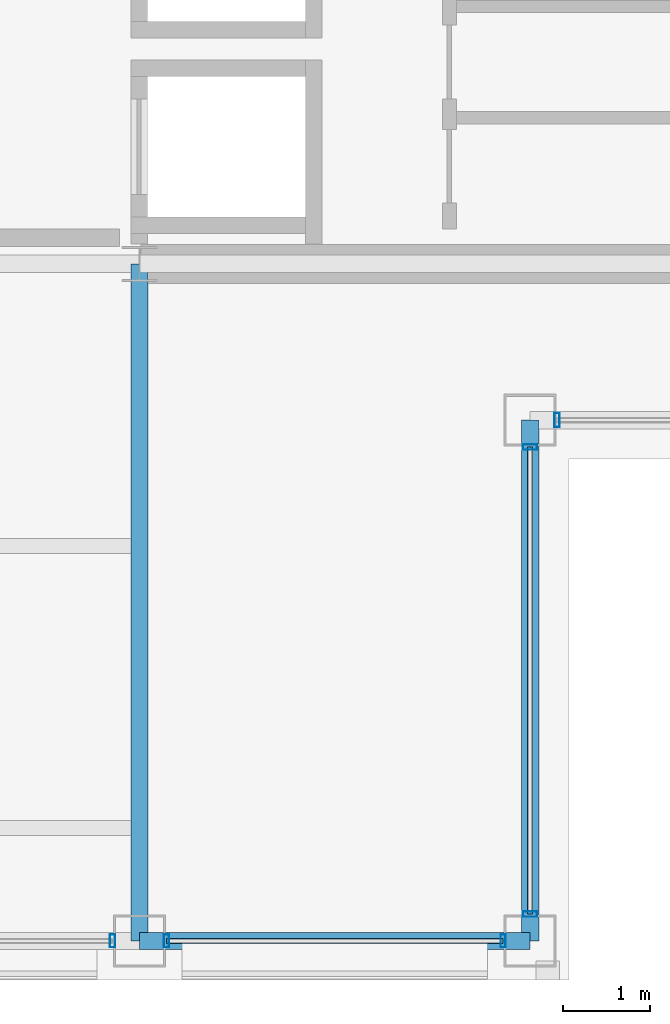
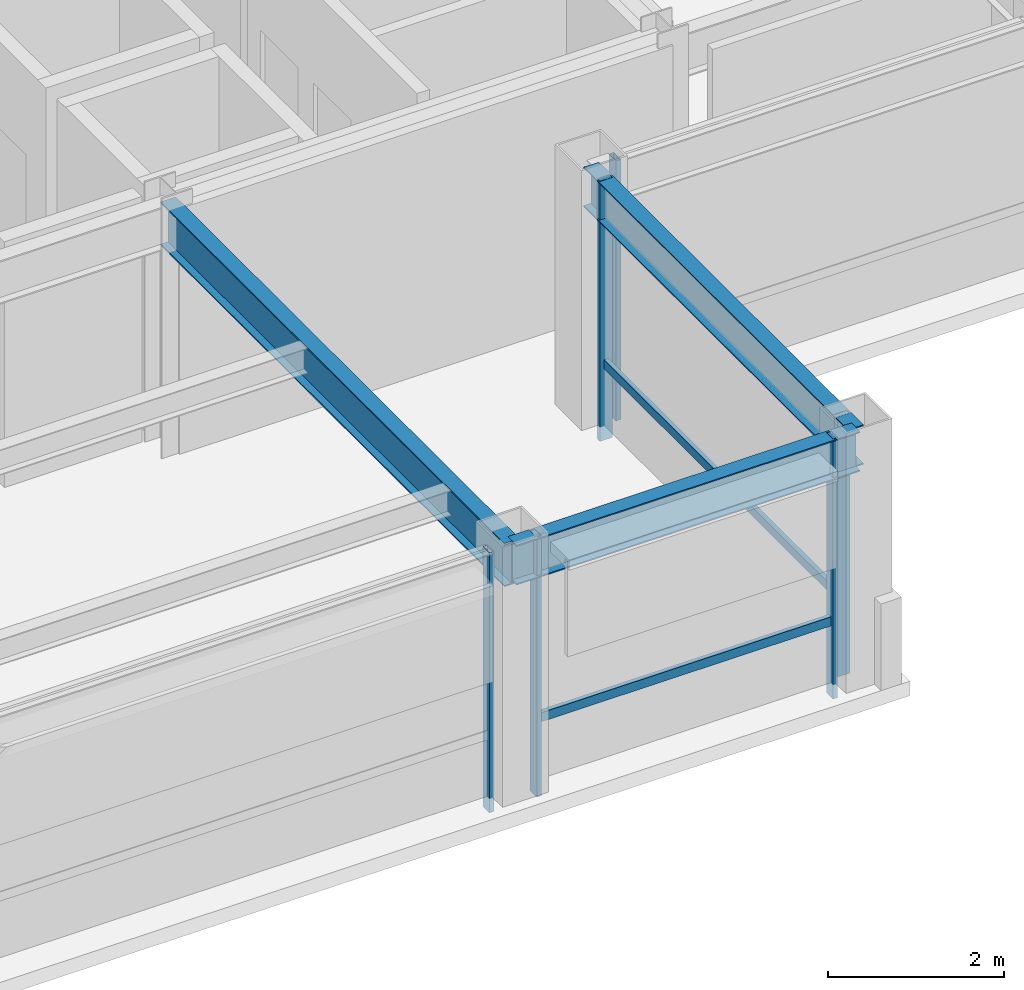
# One storey, part 4 of 22: 8 members, 3 beams, 4 elements without a shape of their own.
"""IFC4 building model written with IfcOpenShell, lengths in metres."""

from ifc_helpers import new_model, si_unit, direction, frame, origin, origin_2d, place, context, subcontext, project, spatial, hollow_rectangle, i_section, extrude, material, layer, layer_set, material_profile, profile_set, type_object, element, aggregate, save


model = new_model("IFC4")

# Units and contexts
model_context = context("Model", 3, precision=1e-05, world=origin(), true_north=direction((0.0, 1.0)))
body_context = subcontext(model_context, "Body", "Model", "MODEL_VIEW")
ifc_project = project(units=[si_unit("LENGTHUNIT", "METRE"), si_unit("AREAUNIT", "SQUARE_METRE"), si_unit("VOLUMEUNIT", "CUBIC_METRE"), si_unit("PLANEANGLEUNIT", "RADIAN"), si_unit("MASSUNIT", "GRAM", prefix="KILO")], contexts=[model_context])

# Site, building, storey
site_placement = place(None, origin())
site = spatial("IfcSite", under=ifc_project, at=site_placement, CompositionType="ELEMENT")
building_placement = place(site_placement, origin())
building = spatial("IfcBuilding", under=site, at=building_placement, Name="Brelmoor Portico Tower", CompositionType="ELEMENT")
storey_placement = place(building_placement, frame((0.0, 0.0, 280.800048828125)))
storey = spatial("IfcBuildingStorey", under=building, at=storey_placement, Name="L74", CompositionType="ELEMENT", Elevation=280.800048828125)

# Beams
ifc_material_1 = material(Name="Steel Q355B", Category="steel")
ifc_material_profile_1 = material_profile(ifc_material_1, i_section(OverallWidth=0.199951171875, OverallDepth=0.60009765625, WebThickness=0.010986328125, FlangeThickness=0.01708984375, at=origin_2d()), Name="HN 600x200x11x17")
ifc_profile_set_1 = profile_set([ifc_material_profile_1], Name="Steel Q355B")
beam_type_1 = type_object("IfcBeamType", Name="BM-PG-600", PredefinedType="BEAM", material=ifc_profile_set_1)
beam_1_placement = place(storey_placement, frame((8.050048828125, -17.550048828125, 3.099853515625), z_axis=(0.0, 1.0, 0.0), x_axis=(-1.0, 0.0, 0.0)))
element("IfcBeam", 1, at=beam_1_placement, inside=storey, type_object=beam_type_1, Name="L74 Primary Floor Girder PG-06", PredefinedType="BEAM", context=body_context, shape_type="SweptSolid", body=[
    extrude(i_section(OverallWidth=0.199951171875, OverallDepth=0.60009765625, WebThickness=0.010986328125, FlangeThickness=0.01708984375, at=origin_2d()), origin(), (0.0, 0.0, 1.0), 7.800048828125),
])
ifc_material_profile_2 = material_profile(ifc_material_1, i_section(OverallWidth=0.199951171875, OverallDepth=0.550048828125, WebThickness=0.010009765625, FlangeThickness=0.01611328125, at=origin_2d()), Name="HN 550x200x10x16")
ifc_profile_set_2 = profile_set([ifc_material_profile_2], Name="Steel Q355B")
beam_type_2 = type_object("IfcBeamType", Name="BM-SP-550", PredefinedType="SPANDREL", material=ifc_profile_set_2)
beam_2_placement = place(storey_placement, frame((8.050048828125, -17.550048828125, 3.125), z_axis=(1.0, 0.0, 0.0), x_axis=(0.0, 1.0, 0.0)))
element("IfcBeam", 2, at=beam_2_placement, inside=storey, type_object=beam_type_2, Name="L74 Perimeter Spandrel Beam SP-03", PredefinedType="SPANDREL", context=body_context, shape_type="SweptSolid", body=[
    extrude(i_section(OverallWidth=0.199951171875, OverallDepth=0.550048828125, WebThickness=0.010009765625, FlangeThickness=0.01611328125, at=origin_2d()), origin(), (0.0, 0.0, 1.0), 4.5),
])
beam_3_placement = place(storey_placement, frame((12.550048828125, -17.550048828125, 3.125), z_axis=(0.0, 1.0, 0.0), x_axis=(-1.0, 0.0, 0.0)))
element("IfcBeam", 3, at=beam_3_placement, inside=storey, type_object=beam_type_2, Name="L74 Perimeter Spandrel Beam SP-16", PredefinedType="SPANDREL", context=body_context, shape_type="SweptSolid", body=[
    extrude(i_section(OverallWidth=0.199951171875, OverallDepth=0.550048828125, WebThickness=0.010009765625, FlangeThickness=0.01611328125, at=origin_2d()), origin(), (0.0, 0.0, 1.0), 6.0),
])

# Curtain wall, member
ifc_material_2 = material(Name="Anodised Aluminium Alloy 6063-T6", Category="aluminium")
ifc_layer_1 = layer(ifc_material_2, 0.179931640625)
ifc_layer_set_1 = layer_set([ifc_layer_1], Name="Anodised Aluminium Alloy 6063-T6")
curtain_wall_type_1 = type_object("IfcCurtainWallType", Name="CW-TOWER-Z4", PredefinedType="NOTDEFINED", material=ifc_layer_set_1)
curtain_wall_1_placement = place(storey_placement, origin())
curtain_wall_1 = element("IfcCurtainWall", 4, at=curtain_wall_1_placement, inside=storey, type_object=curtain_wall_type_1, Name="L74 Curtain Wall CW-L74-01-2", PredefinedType="NOTDEFINED")
ifc_material_profile_3 = material_profile(ifc_material_2, hollow_rectangle(XDim=0.06005859375, YDim=0.14990234375, WallThickness=0.00390625, at=origin_2d()), Name="ALU MULLION 60x150")
ifc_profile_set_3 = profile_set([ifc_material_profile_3], Name="Anodised Aluminium Alloy 6063-T6")
member_type_1 = type_object("IfcMemberType", Name="MB-CW-MULL-150", PredefinedType="MULLION", material=ifc_profile_set_3)
member_1_placement = place(storey_placement, frame((7.739990234375, -17.550048828125, -0.199951171875), z_axis=(0.0, 0.0, 1.0), x_axis=(1.0, 0.0, 0.0)))
member_1 = element("IfcMember", 5, at=member_1_placement, type_object=member_type_1, Name="CW-L74-01-2 Mullion 01", PredefinedType="MULLION", context=body_context, shape_type="SweptSolid", body=[
    extrude(hollow_rectangle(XDim=0.06005859375, YDim=0.14990234375, WallThickness=0.00390625, at=origin_2d()), origin(), (0.0, 0.0, 1.0), 3.599853515625),
])
aggregate(curtain_wall_1, [member_1])

# Curtain wall, members
curtain_wall_2_placement = place(storey_placement, origin())
curtain_wall_2 = element("IfcCurtainWall", 6, at=curtain_wall_2_placement, inside=storey, type_object=curtain_wall_type_1, Name="L74 Curtain Wall CW-L74-01-3", PredefinedType="NOTDEFINED")
member_2_placement = place(storey_placement, frame((8.360107421875, -17.550048828125, -0.199951171875), z_axis=(0.0, 0.0, 1.0), x_axis=(1.0, 0.0, 0.0)))
member_2 = element("IfcMember", 7, at=member_2_placement, type_object=member_type_1, Name="CW-L74-01-3 Mullion 00", PredefinedType="MULLION", context=body_context, shape_type="SweptSolid", body=[
    extrude(hollow_rectangle(XDim=0.06005859375, YDim=0.14990234375, WallThickness=0.00390625, at=origin_2d()), origin(), (0.0, 0.0, 1.0), 3.599853515625),
])
member_3_placement = place(storey_placement, frame((12.239990234375, -17.550048828125, -0.199951171875), z_axis=(0.0, 0.0, 1.0), x_axis=(1.0, 0.0, 0.0)))
member_3 = element("IfcMember", 8, at=member_3_placement, type_object=member_type_1, Name="CW-L74-01-3 Mullion 01", PredefinedType="MULLION", context=body_context, shape_type="SweptSolid", body=[
    extrude(hollow_rectangle(XDim=0.06005859375, YDim=0.14990234375, WallThickness=0.00390625, at=origin_2d()), origin(), (0.0, 0.0, 1.0), 3.599853515625),
])

# Curtain wall, member
ifc_layer_2 = layer(ifc_material_2, 0.179931640625)
ifc_layer_set_2 = layer_set([ifc_layer_2], Name="Anodised Aluminium Alloy 6063-T6")
curtain_wall_type_2 = type_object("IfcCurtainWallType", Name="CW-NOTCH-CHAMFER", PredefinedType="NOTDEFINED", material=ifc_layer_set_2)
curtain_wall_3_placement = place(storey_placement, origin())
curtain_wall_3 = element("IfcCurtainWall", 9, at=curtain_wall_3_placement, inside=storey, type_object=curtain_wall_type_2, Name="L74 Curtain Wall CWN-L74-SEH", PredefinedType="NOTDEFINED")
ifc_material_profile_4 = material_profile(ifc_material_2, hollow_rectangle(XDim=0.06494140625, YDim=0.1650390625, WallThickness=0.00390625, at=origin_2d()), Name="ALU MULLION 65x165")
ifc_profile_set_4 = profile_set([ifc_material_profile_4], Name="Anodised Aluminium Alloy 6063-T6")
member_type_2 = type_object("IfcMemberType", Name="MB-CW-MULL-165", PredefinedType="MULLION", material=ifc_profile_set_4)
member_4_placement = place(storey_placement, frame((12.860107421875, -11.550048828125, -0.199951171875), z_axis=(0.0, 0.0, 1.0), x_axis=(1.0, 0.0, 0.0)))
member_4 = element("IfcMember", 10, at=member_4_placement, type_object=member_type_2, Name="CWN-L74-SEH Mullion 00", PredefinedType="MULLION", context=body_context, shape_type="SweptSolid", body=[
    extrude(hollow_rectangle(XDim=0.06494140625, YDim=0.1650390625, WallThickness=0.00390625, at=origin_2d()), origin(), (0.0, 0.0, 1.0), 3.599853515625),
])
aggregate(curtain_wall_3, [member_4])

# Curtain wall, members
curtain_wall_4_placement = place(storey_placement, origin())
curtain_wall_4 = element("IfcCurtainWall", 11, at=curtain_wall_4_placement, inside=storey, type_object=curtain_wall_type_2, Name="L74 Curtain Wall CWN-L74-SEV", PredefinedType="NOTDEFINED")
member_5_placement = place(storey_placement, frame((12.550048828125, -17.239990234375, -0.199951171875), z_axis=(0.0, 0.0, 1.0), x_axis=(0.0, 1.0, 0.0)))
member_5 = element("IfcMember", 12, at=member_5_placement, type_object=member_type_2, Name="CWN-L74-SEV Mullion 00", PredefinedType="MULLION", context=body_context, shape_type="SweptSolid", body=[
    extrude(hollow_rectangle(XDim=0.06494140625, YDim=0.1650390625, WallThickness=0.00390625, at=origin_2d()), origin(), (0.0, 0.0, 1.0), 3.599853515625),
])
member_6_placement = place(storey_placement, frame((12.550048828125, -11.860107421875, -0.199951171875), z_axis=(0.0, 0.0, 1.0), x_axis=(0.0, 1.0, 0.0)))
member_6 = element("IfcMember", 13, at=member_6_placement, type_object=member_type_2, Name="CWN-L74-SEV Mullion 01", PredefinedType="MULLION", context=body_context, shape_type="SweptSolid", body=[
    extrude(hollow_rectangle(XDim=0.06494140625, YDim=0.1650390625, WallThickness=0.00390625, at=origin_2d()), origin(), (0.0, 0.0, 1.0), 3.599853515625),
])

# Member
ifc_material_profile_5 = material_profile(ifc_material_2, hollow_rectangle(XDim=0.06005859375, YDim=0.125, WallThickness=0.00341796875, at=origin_2d()), Name="ALU TRANSOM 60x125")
ifc_profile_set_5 = profile_set([ifc_material_profile_5], Name="Anodised Aluminium Alloy 6063-T6")
member_type_3 = type_object("IfcMemberType", Name="MB-CW-TRAN-125", PredefinedType="USERDEFINED", material=ifc_profile_set_5)
member_7_placement = place(storey_placement, frame((8.360107421875, -17.550048828125, 0.849853515625), z_axis=(1.0, 0.0, 0.0), x_axis=(0.0, 1.0, 0.0)))
member_7 = element("IfcMember", 14, at=member_7_placement, type_object=member_type_3, Name="CW-L74-01-3 Transom 1-00", ObjectType="TRANSOM", PredefinedType="USERDEFINED", context=body_context, shape_type="SweptSolid", body=[
    extrude(hollow_rectangle(XDim=0.06005859375, YDim=0.125, WallThickness=0.00341796875, at=origin_2d()), origin(), (0.0, 0.0, 1.0), 3.8798828125),
])

aggregate(curtain_wall_2, [member_2, member_3, member_7])

member_8_placement = place(storey_placement, frame((12.550048828125, -17.239990234375, 0.849853515625), z_axis=(0.0, 1.0, 0.0), x_axis=(-1.0, 0.0, 0.0)))
member_8 = element("IfcMember", 15, at=member_8_placement, type_object=member_type_3, Name="CWN-L74-SEV Transom 1-00", ObjectType="TRANSOM", PredefinedType="USERDEFINED", context=body_context, shape_type="SweptSolid", body=[
    extrude(hollow_rectangle(XDim=0.06005859375, YDim=0.125, WallThickness=0.00341796875, at=origin_2d()), origin(), (0.0, 0.0, 1.0), 5.3798828125),
])

aggregate(curtain_wall_4, [member_5, member_6, member_8])

save(model, "model.ifc")
